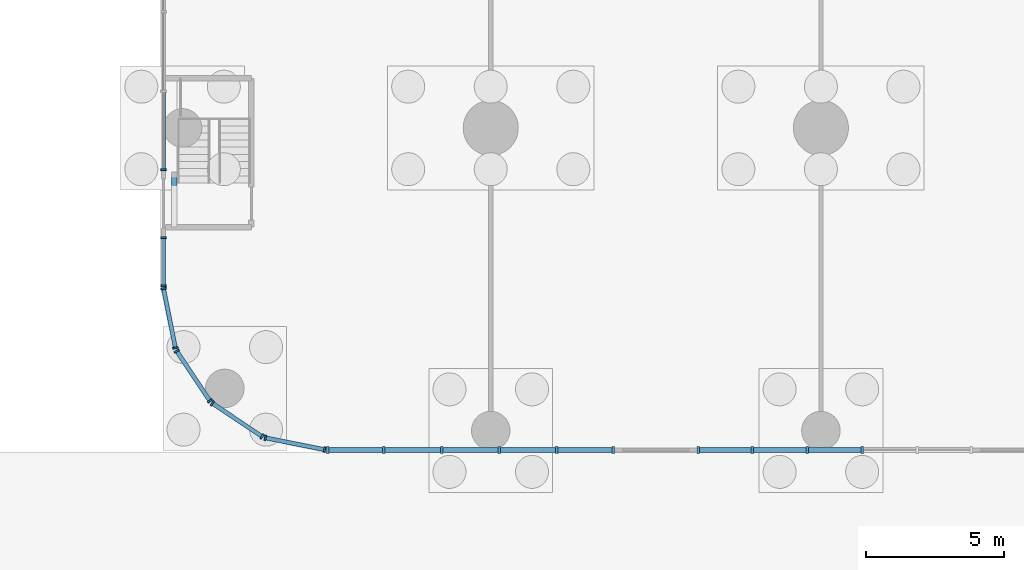
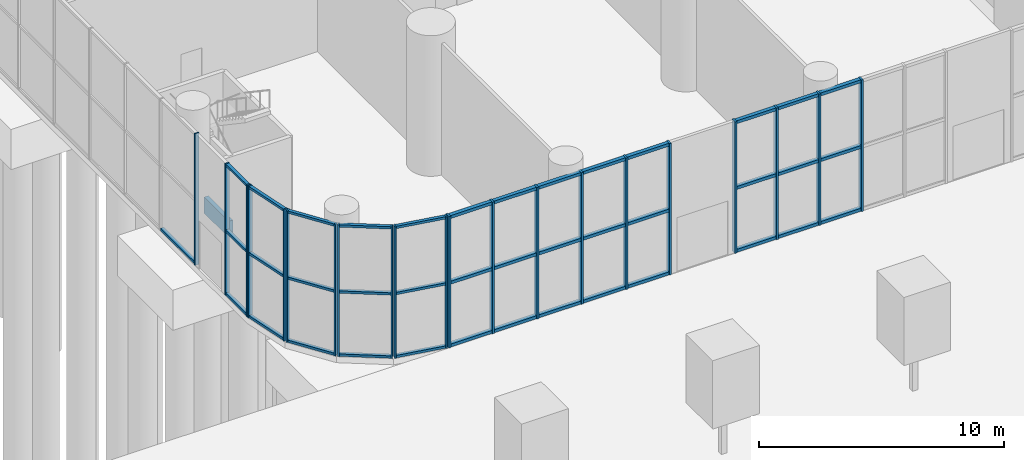
# One storey, part 5 of 26: 61 members, 1 beam, 8 elements without a shape of their own.
"""IFC4 building model written with IfcOpenShell, lengths in metres."""

from ifc_helpers import new_model, si_unit, direction, frame, origin, origin_2d, place, context, subcontext, project, spatial, rectangle, extrude, material, layer, layer_set, material_profile, profile_set, type_object, element, aggregate, save


model = new_model("IFC4")

# Units and contexts
model_context = context("Model", 3, precision=1e-05, world=origin(), true_north=direction((0.0, 1.0)))
body_context = subcontext(model_context, "Body", "Model", "MODEL_VIEW")
ifc_project = project(units=[si_unit("LENGTHUNIT", "METRE"), si_unit("AREAUNIT", "SQUARE_METRE"), si_unit("VOLUMEUNIT", "CUBIC_METRE"), si_unit("PLANEANGLEUNIT", "RADIAN"), si_unit("MASSUNIT", "GRAM", prefix="KILO")], contexts=[model_context])

# Site, building, storey
site_placement = place(None, origin())
site = spatial("IfcSite", under=ifc_project, at=site_placement, CompositionType="ELEMENT")
building_placement = place(site_placement, origin())
building = spatial("IfcBuilding", under=site, at=building_placement, Name="Torana Hotel and Residences", CompositionType="ELEMENT")
storey_placement = place(building_placement, origin())
storey = spatial("IfcBuildingStorey", under=building, at=storey_placement, Name="L00", CompositionType="ELEMENT", Elevation=0.0)

# Curtain wall, member
ifc_material_1 = material(Name="Dark anodised aluminium", Category="aluminium")
ifc_layer_1 = layer(ifc_material_1, 0.199951171875)
ifc_layer_set_1 = layer_set([ifc_layer_1], Name="CW1 PODIUM SHOPFRONT CURTAIN WALL")
curtain_wall_type_1 = type_object("IfcCurtainWallType", Name="CW1 PODIUM SHOPFRONT CURTAIN WALL", PredefinedType="NOTDEFINED", material=ifc_layer_set_1)
curtain_wall_1_placement = place(storey_placement, origin())
curtain_wall_1 = element("IfcCurtainWall", 1, at=curtain_wall_1_placement, inside=storey, type_object=curtain_wall_type_1, Name="Curtain wall CW1 L00 e0.7-1", PredefinedType="NOTDEFINED")
ifc_material_2 = material(Name="Dark anodised aluminium", Category="aluminium")
ifc_material_profile_1 = material_profile(ifc_material_2, rectangle(XDim=0.199951171875, YDim=0.070068359375, at=origin_2d()), Name="CW1 MULLION 70x200")
ifc_profile_set_1 = profile_set([ifc_material_profile_1], Name="Dark anodised aluminium")
member_type_1 = type_object("IfcMemberType", Name="CW1 MULLION 70x200", PredefinedType="MULLION", material=ifc_profile_set_1)
member_1_placement = place(storey_placement, frame((-47.89990234375, -29.715087890625, 0.0), z_axis=(0.0, 0.0, 1.0), x_axis=(1.0, 0.0, 0.0)))
member_1 = element("IfcMember", 2, at=member_1_placement, type_object=member_type_1, Name="CW1 mullion 12", PredefinedType="MULLION", context=body_context, shape_type="SweptSolid", body=[
    extrude(rectangle(XDim=0.199951171875, YDim=0.070068359375, at=origin_2d()), origin(), (0.0, 0.0, 1.0), 6.550048828125),
])

# Curtain wall, members
curtain_wall_2_placement = place(storey_placement, origin())
curtain_wall_2 = element("IfcCurtainWall", 3, at=curtain_wall_2_placement, inside=storey, type_object=curtain_wall_type_1, Name="Curtain wall CW1 L00 e0.7-3", PredefinedType="NOTDEFINED")
member_2_placement = place(storey_placement, frame((-47.89990234375, -32.18505859375, 0.0), z_axis=(0.0, 0.0, 1.0), x_axis=(1.0, 0.0, 0.0)))
member_2 = element("IfcMember", 4, at=member_2_placement, type_object=member_type_1, Name="CW1 mullion 1", PredefinedType="MULLION", context=body_context, shape_type="SweptSolid", body=[
    extrude(rectangle(XDim=0.199951171875, YDim=0.070068359375, at=origin_2d()), origin(), (0.0, 0.0, 1.0), 6.550048828125),
])
member_3_placement = place(storey_placement, frame((-47.89990234375, -33.9404296875, 0.0), z_axis=(0.0, 0.0, 1.0), x_axis=(1.0, 0.0, 0.0)))
member_3 = element("IfcMember", 5, at=member_3_placement, type_object=member_type_1, Name="CW1 mullion 2", PredefinedType="MULLION", context=body_context, shape_type="SweptSolid", body=[
    extrude(rectangle(XDim=0.199951171875, YDim=0.070068359375, at=origin_2d()), origin(), (0.0, 0.0, 1.0), 6.550048828125),
])

curtain_wall_3_placement = place(storey_placement, origin())
curtain_wall_3 = element("IfcCurtainWall", 6, at=curtain_wall_3_placement, inside=storey, type_object=curtain_wall_type_1, Name="Curtain wall CW1 L00 e0.8-1", PredefinedType="NOTDEFINED")
member_4_placement = place(storey_placement, frame((-47.890380859375, -34.038818359375, 0.0), z_axis=(0.0, 0.0, 1.0), x_axis=(0.980787135335, 0.195080996415, 0.0)))
member_4 = element("IfcMember", 7, at=member_4_placement, type_object=member_type_1, Name="CW1 mullion 1", PredefinedType="MULLION", context=body_context, shape_type="SweptSolid", body=[
    extrude(rectangle(XDim=0.199951171875, YDim=0.070068359375, at=origin_2d()), origin(), (0.0, 0.0, 1.0), 6.550048828125),
])
member_5_placement = place(storey_placement, frame((-47.461669921875, -36.193359375, 0.0), z_axis=(0.0, 0.0, 1.0), x_axis=(0.980787135335, 0.195080996415, 0.0)))
member_5 = element("IfcMember", 8, at=member_5_placement, type_object=member_type_1, Name="CW1 mullion 2", PredefinedType="MULLION", context=body_context, shape_type="SweptSolid", body=[
    extrude(rectangle(XDim=0.199951171875, YDim=0.070068359375, at=origin_2d()), origin(), (0.0, 0.0, 1.0), 6.550048828125),
])

curtain_wall_4_placement = place(storey_placement, origin())
curtain_wall_4 = element("IfcCurtainWall", 9, at=curtain_wall_4_placement, inside=storey, type_object=curtain_wall_type_1, Name="Curtain wall CW1 L00 e0.9-1", PredefinedType="NOTDEFINED")
member_6_placement = place(storey_placement, frame((-47.4130859375, -36.31103515625, 0.0), z_axis=(0.0, 0.0, 1.0), x_axis=(0.831459585616, 0.555585238723, 0.0)))
member_6 = element("IfcMember", 10, at=member_6_placement, type_object=member_type_1, Name="CW1 mullion 1", PredefinedType="MULLION", context=body_context, shape_type="SweptSolid", body=[
    extrude(rectangle(XDim=0.199951171875, YDim=0.070068359375, at=origin_2d()), origin(), (0.0, 0.0, 1.0), 6.550048828125),
])
member_7_placement = place(storey_placement, frame((-46.20654296875, -38.11669921875, 0.0), z_axis=(0.0, 0.0, 1.0), x_axis=(0.831459585616, 0.555585238723, 0.0)))
member_7 = element("IfcMember", 11, at=member_7_placement, type_object=member_type_1, Name="CW1 mullion 2", PredefinedType="MULLION", context=body_context, shape_type="SweptSolid", body=[
    extrude(rectangle(XDim=0.199951171875, YDim=0.070068359375, at=origin_2d()), origin(), (0.0, 0.0, 1.0), 6.550048828125),
])

curtain_wall_5_placement = place(storey_placement, origin())
curtain_wall_5 = element("IfcCurtainWall", 12, at=curtain_wall_5_placement, inside=storey, type_object=curtain_wall_type_1, Name="Curtain wall CW1 L00 e0.10-1", PredefinedType="NOTDEFINED")
member_8_placement = place(storey_placement, frame((-46.11669921875, -38.20654296875, 0.0), z_axis=(0.0, 0.0, 1.0), x_axis=(0.555585238723, 0.831459585616, 0.0)))
member_8 = element("IfcMember", 13, at=member_8_placement, type_object=member_type_1, Name="CW1 mullion 1", PredefinedType="MULLION", context=body_context, shape_type="SweptSolid", body=[
    extrude(rectangle(XDim=0.199951171875, YDim=0.070068359375, at=origin_2d()), origin(), (0.0, 0.0, 1.0), 6.550048828125),
])
member_9_placement = place(storey_placement, frame((-44.31103515625, -39.4130859375, 0.0), z_axis=(0.0, 0.0, 1.0), x_axis=(0.555585238723, 0.831459585616, 0.0)))
member_9 = element("IfcMember", 14, at=member_9_placement, type_object=member_type_1, Name="CW1 mullion 2", PredefinedType="MULLION", context=body_context, shape_type="SweptSolid", body=[
    extrude(rectangle(XDim=0.199951171875, YDim=0.070068359375, at=origin_2d()), origin(), (0.0, 0.0, 1.0), 6.550048828125),
])

curtain_wall_6_placement = place(storey_placement, origin())
curtain_wall_6 = element("IfcCurtainWall", 15, at=curtain_wall_6_placement, inside=storey, type_object=curtain_wall_type_1, Name="Curtain wall CW1 L00 e0.11-1", PredefinedType="NOTDEFINED")
member_10_placement = place(storey_placement, frame((-44.193359375, -39.461669921875, 0.0), z_axis=(0.0, 0.0, 1.0), x_axis=(0.195080996415, 0.980787135335, 0.0)))
member_10 = element("IfcMember", 16, at=member_10_placement, type_object=member_type_1, Name="CW1 mullion 1", PredefinedType="MULLION", context=body_context, shape_type="SweptSolid", body=[
    extrude(rectangle(XDim=0.199951171875, YDim=0.070068359375, at=origin_2d()), origin(), (0.0, 0.0, 1.0), 6.550048828125),
])
member_11_placement = place(storey_placement, frame((-42.038818359375, -39.890380859375, 0.0), z_axis=(0.0, 0.0, 1.0), x_axis=(0.195080996415, 0.980787135335, 0.0)))
member_11 = element("IfcMember", 17, at=member_11_placement, type_object=member_type_1, Name="CW1 mullion 2", PredefinedType="MULLION", context=body_context, shape_type="SweptSolid", body=[
    extrude(rectangle(XDim=0.199951171875, YDim=0.070068359375, at=origin_2d()), origin(), (0.0, 0.0, 1.0), 6.550048828125),
])

# Member
ifc_material_3 = material(Name="Dark anodised aluminium", Category="aluminium")
ifc_material_profile_2 = material_profile(ifc_material_3, rectangle(XDim=0.14990234375, YDim=0.1201171875, at=origin_2d()), Name="CW1 TRANSOM 150x120")
ifc_profile_set_2 = profile_set([ifc_material_profile_2], Name="Dark anodised aluminium")
member_type_2 = type_object("IfcMemberType", Name="CW1 TRANSOM 150x120", PredefinedType="USERDEFINED", material=ifc_profile_set_2)
member_12_placement = place(storey_placement, frame((-47.89990234375, -26.90087890625, 0.06005859375), z_axis=(0.0, -1.0, 0.0), x_axis=(1.0, 0.0, 0.0)))
member_12 = element("IfcMember", 18, at=member_12_placement, type_object=member_type_2, Name="CW1 transom 11.1", ObjectType="TRANSOM", PredefinedType="USERDEFINED", context=body_context, shape_type="SweptSolid", body=[
    extrude(rectangle(XDim=0.14990234375, YDim=0.1201171875, at=origin_2d()), origin(), (0.0, 0.0, 1.0), 2.779052734375),
])

aggregate(curtain_wall_1, [member_1, member_12])

member_13_placement = place(storey_placement, frame((-47.89990234375, -32.219970703125, 0.06005859375), z_axis=(0.0, -1.0, 0.0), x_axis=(1.0, 0.0, 0.0)))
member_13 = element("IfcMember", 19, at=member_13_placement, type_object=member_type_2, Name="CW1 transom 1.1", ObjectType="TRANSOM", PredefinedType="USERDEFINED", context=body_context, shape_type="SweptSolid", body=[
    extrude(rectangle(XDim=0.14990234375, YDim=0.1201171875, at=origin_2d()), origin(), (0.0, 0.0, 1.0), 1.685546875),
])

member_14_placement = place(storey_placement, frame((-47.89990234375, -32.219970703125, 3.199951171875), z_axis=(0.0, -1.0, 0.0), x_axis=(1.0, 0.0, 0.0)))
member_14 = element("IfcMember", 20, at=member_14_placement, type_object=member_type_2, Name="CW1 transom 1.2", ObjectType="TRANSOM", PredefinedType="USERDEFINED", context=body_context, shape_type="SweptSolid", body=[
    extrude(rectangle(XDim=0.14990234375, YDim=0.1201171875, at=origin_2d()), origin(), (0.0, 0.0, 1.0), 1.685546875),
])

member_15_placement = place(storey_placement, frame((-47.89990234375, -32.219970703125, 6.489990234375), z_axis=(0.0, -1.0, 0.0), x_axis=(1.0, 0.0, 0.0)))
member_15 = element("IfcMember", 21, at=member_15_placement, type_object=member_type_2, Name="CW1 transom 1.3", ObjectType="TRANSOM", PredefinedType="USERDEFINED", context=body_context, shape_type="SweptSolid", body=[
    extrude(rectangle(XDim=0.14990234375, YDim=0.1201171875, at=origin_2d()), origin(), (0.0, 0.0, 1.0), 1.685546875),
])

aggregate(curtain_wall_2, [member_2, member_3, member_13, member_14, member_15])

member_16_placement = place(storey_placement, frame((-47.883544921875, -34.0732421875, 0.06005859375), z_axis=(0.195144730313, -0.980774456351, 0.0), x_axis=(0.980774456351, 0.195144730313, 0.0)))
member_16 = element("IfcMember", 22, at=member_16_placement, type_object=member_type_2, Name="CW1 transom 1.1", ObjectType="TRANSOM", PredefinedType="USERDEFINED", context=body_context, shape_type="SweptSolid", body=[
    extrude(rectangle(XDim=0.14990234375, YDim=0.1201171875, at=origin_2d()), origin(), (0.0, 0.0, 1.0), 2.126708984375),
])

member_17_placement = place(storey_placement, frame((-47.883544921875, -34.0732421875, 3.199951171875), z_axis=(0.195144730313, -0.980774456351, 0.0), x_axis=(0.980774456351, 0.195144730313, 0.0)))
member_17 = element("IfcMember", 23, at=member_17_placement, type_object=member_type_2, Name="CW1 transom 1.2", ObjectType="TRANSOM", PredefinedType="USERDEFINED", context=body_context, shape_type="SweptSolid", body=[
    extrude(rectangle(XDim=0.14990234375, YDim=0.1201171875, at=origin_2d()), origin(), (0.0, 0.0, 1.0), 2.126708984375),
])

member_18_placement = place(storey_placement, frame((-47.883544921875, -34.0732421875, 6.489990234375), z_axis=(0.195144730313, -0.980774456351, 0.0), x_axis=(0.980774456351, 0.195144730313, 0.0)))
member_18 = element("IfcMember", 24, at=member_18_placement, type_object=member_type_2, Name="CW1 transom 1.3", ObjectType="TRANSOM", PredefinedType="USERDEFINED", context=body_context, shape_type="SweptSolid", body=[
    extrude(rectangle(XDim=0.14990234375, YDim=0.1201171875, at=origin_2d()), origin(), (0.0, 0.0, 1.0), 2.126708984375),
])

aggregate(curtain_wall_3, [member_4, member_5, member_16, member_17, member_18])

member_19_placement = place(storey_placement, frame((-47.3935546875, -36.340087890625, 0.06005859375), z_axis=(0.555557822908, -0.83147790434, 0.0), x_axis=(0.83147790434, 0.555557822908, 0.0)))
member_19 = element("IfcMember", 25, at=member_19_placement, type_object=member_type_2, Name="CW1 transom 1.1", ObjectType="TRANSOM", PredefinedType="USERDEFINED", context=body_context, shape_type="SweptSolid", body=[
    extrude(rectangle(XDim=0.14990234375, YDim=0.1201171875, at=origin_2d()), origin(), (0.0, 0.0, 1.0), 2.1015625),
])

member_20_placement = place(storey_placement, frame((-47.3935546875, -36.340087890625, 3.199951171875), z_axis=(0.555557822908, -0.83147790434, 0.0), x_axis=(0.83147790434, 0.555557822908, 0.0)))
member_20 = element("IfcMember", 26, at=member_20_placement, type_object=member_type_2, Name="CW1 transom 1.2", ObjectType="TRANSOM", PredefinedType="USERDEFINED", context=body_context, shape_type="SweptSolid", body=[
    extrude(rectangle(XDim=0.14990234375, YDim=0.1201171875, at=origin_2d()), origin(), (0.0, 0.0, 1.0), 2.1015625),
])

member_21_placement = place(storey_placement, frame((-47.3935546875, -36.340087890625, 6.489990234375), z_axis=(0.555557822908, -0.83147790434, 0.0), x_axis=(0.83147790434, 0.555557822908, 0.0)))
member_21 = element("IfcMember", 27, at=member_21_placement, type_object=member_type_2, Name="CW1 transom 1.3", ObjectType="TRANSOM", PredefinedType="USERDEFINED", context=body_context, shape_type="SweptSolid", body=[
    extrude(rectangle(XDim=0.14990234375, YDim=0.1201171875, at=origin_2d()), origin(), (0.0, 0.0, 1.0), 2.1015625),
])

aggregate(curtain_wall_4, [member_6, member_7, member_19, member_20, member_21])

member_22_placement = place(storey_placement, frame((-46.08740234375, -38.22607421875, 0.06005859375), z_axis=(0.83147790434, -0.555557822908, 0.0), x_axis=(0.555557822908, 0.83147790434, 0.0)))
member_22 = element("IfcMember", 28, at=member_22_placement, type_object=member_type_2, Name="CW1 transom 1.1", ObjectType="TRANSOM", PredefinedType="USERDEFINED", context=body_context, shape_type="SweptSolid", body=[
    extrude(rectangle(XDim=0.14990234375, YDim=0.1201171875, at=origin_2d()), origin(), (0.0, 0.0, 1.0), 2.1015625),
])

member_23_placement = place(storey_placement, frame((-46.08740234375, -38.22607421875, 3.199951171875), z_axis=(0.83147790434, -0.555557822908, 0.0), x_axis=(0.555557822908, 0.83147790434, 0.0)))
member_23 = element("IfcMember", 29, at=member_23_placement, type_object=member_type_2, Name="CW1 transom 1.2", ObjectType="TRANSOM", PredefinedType="USERDEFINED", context=body_context, shape_type="SweptSolid", body=[
    extrude(rectangle(XDim=0.14990234375, YDim=0.1201171875, at=origin_2d()), origin(), (0.0, 0.0, 1.0), 2.1015625),
])

member_24_placement = place(storey_placement, frame((-46.08740234375, -38.22607421875, 6.489990234375), z_axis=(0.83147790434, -0.555557822908, 0.0), x_axis=(0.555557822908, 0.83147790434, 0.0)))
member_24 = element("IfcMember", 30, at=member_24_placement, type_object=member_type_2, Name="CW1 transom 1.3", ObjectType="TRANSOM", PredefinedType="USERDEFINED", context=body_context, shape_type="SweptSolid", body=[
    extrude(rectangle(XDim=0.14990234375, YDim=0.1201171875, at=origin_2d()), origin(), (0.0, 0.0, 1.0), 2.1015625),
])

aggregate(curtain_wall_5, [member_8, member_9, member_22, member_23, member_24])

member_25_placement = place(storey_placement, frame((-44.1591796875, -39.468505859375, 0.06005859375), z_axis=(0.980774456351, -0.195144730313, 0.0), x_axis=(0.195144730313, 0.980774456351, 0.0)))
member_25 = element("IfcMember", 31, at=member_25_placement, type_object=member_type_2, Name="CW1 transom 1.1", ObjectType="TRANSOM", PredefinedType="USERDEFINED", context=body_context, shape_type="SweptSolid", body=[
    extrude(rectangle(XDim=0.14990234375, YDim=0.1201171875, at=origin_2d()), origin(), (0.0, 0.0, 1.0), 2.126708984375),
])

member_26_placement = place(storey_placement, frame((-44.1591796875, -39.468505859375, 3.199951171875), z_axis=(0.980774456351, -0.195144730313, 0.0), x_axis=(0.195144730313, 0.980774456351, 0.0)))
member_26 = element("IfcMember", 32, at=member_26_placement, type_object=member_type_2, Name="CW1 transom 1.2", ObjectType="TRANSOM", PredefinedType="USERDEFINED", context=body_context, shape_type="SweptSolid", body=[
    extrude(rectangle(XDim=0.14990234375, YDim=0.1201171875, at=origin_2d()), origin(), (0.0, 0.0, 1.0), 2.126708984375),
])

member_27_placement = place(storey_placement, frame((-44.1591796875, -39.468505859375, 6.489990234375), z_axis=(0.980774456351, -0.195144730313, 0.0), x_axis=(0.195144730313, 0.980774456351, 0.0)))
member_27 = element("IfcMember", 33, at=member_27_placement, type_object=member_type_2, Name="CW1 transom 1.3", ObjectType="TRANSOM", PredefinedType="USERDEFINED", context=body_context, shape_type="SweptSolid", body=[
    extrude(rectangle(XDim=0.14990234375, YDim=0.1201171875, at=origin_2d()), origin(), (0.0, 0.0, 1.0), 2.126708984375),
])

aggregate(curtain_wall_6, [member_10, member_11, member_25, member_26, member_27])

# Curtain wall, members
ifc_material_4 = material(Name="Dark anodised aluminium", Category="aluminium")
ifc_layer_2 = layer(ifc_material_4, 0.25)
ifc_layer_set_2 = layer_set([ifc_layer_2], Name="CW6 LOBBY ENTRANCE FRONT CURTAIN WALL")
curtain_wall_type_2 = type_object("IfcCurtainWallType", Name="CW6 LOBBY ENTRANCE FRONT CURTAIN WALL", PredefinedType="NOTDEFINED", material=ifc_layer_set_2)
curtain_wall_7_placement = place(storey_placement, origin())
curtain_wall_7 = element("IfcCurtainWall", 34, at=curtain_wall_7_placement, inside=storey, type_object=curtain_wall_type_2, Name="Curtain wall CW6 L00 e0.0-1", PredefinedType="NOTDEFINED")
ifc_material_5 = material(Name="Dark anodised aluminium", Category="aluminium")
ifc_material_profile_3 = material_profile(ifc_material_5, rectangle(XDim=0.25, YDim=0.090087890625, at=origin_2d()), Name="CW6 MULLION 90x250")
ifc_profile_set_3 = profile_set([ifc_material_profile_3], Name="Dark anodised aluminium")
member_type_3 = type_object("IfcMemberType", Name="CW6 MULLION 90x250", PredefinedType="MULLION", material=ifc_profile_set_3)
member_28_placement = place(storey_placement, frame((-41.930419921875, -39.89990234375, 0.0), z_axis=(0.0, 0.0, 1.0), x_axis=(0.0, 1.0, 0.0)))
member_28 = element("IfcMember", 35, at=member_28_placement, type_object=member_type_3, Name="CW6 mullion 1", PredefinedType="MULLION", context=body_context, shape_type="SweptSolid", body=[
    extrude(rectangle(XDim=0.25, YDim=0.090087890625, at=origin_2d()), origin(), (0.0, 0.0, 1.0), 6.550048828125),
])
member_29_placement = place(storey_placement, frame((-39.88037109375, -39.89990234375, 0.0), z_axis=(0.0, 0.0, 1.0), x_axis=(0.0, 1.0, 0.0)))
member_29 = element("IfcMember", 36, at=member_29_placement, type_object=member_type_3, Name="CW6 mullion 2", PredefinedType="MULLION", context=body_context, shape_type="SweptSolid", body=[
    extrude(rectangle(XDim=0.25, YDim=0.090087890625, at=origin_2d()), origin(), (0.0, 0.0, 1.0), 6.550048828125),
])
member_30_placement = place(storey_placement, frame((-37.78515625, -39.89990234375, 0.0), z_axis=(0.0, 0.0, 1.0), x_axis=(0.0, 1.0, 0.0)))
member_30 = element("IfcMember", 37, at=member_30_placement, type_object=member_type_3, Name="CW6 mullion 3", PredefinedType="MULLION", context=body_context, shape_type="SweptSolid", body=[
    extrude(rectangle(XDim=0.25, YDim=0.090087890625, at=origin_2d()), origin(), (0.0, 0.0, 1.0), 6.550048828125),
])
member_31_placement = place(storey_placement, frame((-35.690185546875, -39.89990234375, 0.0), z_axis=(0.0, 0.0, 1.0), x_axis=(0.0, 1.0, 0.0)))
member_31 = element("IfcMember", 38, at=member_31_placement, type_object=member_type_3, Name="CW6 mullion 4", PredefinedType="MULLION", context=body_context, shape_type="SweptSolid", body=[
    extrude(rectangle(XDim=0.25, YDim=0.090087890625, at=origin_2d()), origin(), (0.0, 0.0, 1.0), 6.550048828125),
])
member_32_placement = place(storey_placement, frame((-33.594970703125, -39.89990234375, 0.0), z_axis=(0.0, 0.0, 1.0), x_axis=(0.0, 1.0, 0.0)))
member_32 = element("IfcMember", 39, at=member_32_placement, type_object=member_type_3, Name="CW6 mullion 5", PredefinedType="MULLION", context=body_context, shape_type="SweptSolid", body=[
    extrude(rectangle(XDim=0.25, YDim=0.090087890625, at=origin_2d()), origin(), (0.0, 0.0, 1.0), 6.550048828125),
])
member_33_placement = place(storey_placement, frame((-31.544921875, -39.89990234375, 0.0), z_axis=(0.0, 0.0, 1.0), x_axis=(0.0, 1.0, 0.0)))
member_33 = element("IfcMember", 40, at=member_33_placement, type_object=member_type_3, Name="CW6 mullion 6", PredefinedType="MULLION", context=body_context, shape_type="SweptSolid", body=[
    extrude(rectangle(XDim=0.25, YDim=0.090087890625, at=origin_2d()), origin(), (0.0, 0.0, 1.0), 6.550048828125),
])

curtain_wall_8_placement = place(storey_placement, origin())
curtain_wall_8 = element("IfcCurtainWall", 41, at=curtain_wall_8_placement, inside=storey, type_object=curtain_wall_type_2, Name="Curtain wall CW6 L00 e0.0-3", PredefinedType="NOTDEFINED")
member_34_placement = place(storey_placement, frame((-28.455078125, -39.89990234375, 0.0), z_axis=(0.0, 0.0, 1.0), x_axis=(0.0, 1.0, 0.0)))
member_34 = element("IfcMember", 42, at=member_34_placement, type_object=member_type_3, Name="CW6 mullion 1", PredefinedType="MULLION", context=body_context, shape_type="SweptSolid", body=[
    extrude(rectangle(XDim=0.25, YDim=0.090087890625, at=origin_2d()), origin(), (0.0, 0.0, 1.0), 6.550048828125),
])
member_35_placement = place(storey_placement, frame((-26.5, -39.89990234375, 0.0), z_axis=(0.0, 0.0, 1.0), x_axis=(0.0, 1.0, 0.0)))
member_35 = element("IfcMember", 43, at=member_35_placement, type_object=member_type_3, Name="CW6 mullion 2", PredefinedType="MULLION", context=body_context, shape_type="SweptSolid", body=[
    extrude(rectangle(XDim=0.25, YDim=0.090087890625, at=origin_2d()), origin(), (0.0, 0.0, 1.0), 6.550048828125),
])
member_36_placement = place(storey_placement, frame((-24.5, -39.89990234375, 0.0), z_axis=(0.0, 0.0, 1.0), x_axis=(0.0, 1.0, 0.0)))
member_36 = element("IfcMember", 44, at=member_36_placement, type_object=member_type_3, Name="CW6 mullion 3", PredefinedType="MULLION", context=body_context, shape_type="SweptSolid", body=[
    extrude(rectangle(XDim=0.25, YDim=0.090087890625, at=origin_2d()), origin(), (0.0, 0.0, 1.0), 6.550048828125),
])
member_37_placement = place(storey_placement, frame((-22.5, -39.89990234375, 0.0), z_axis=(0.0, 0.0, 1.0), x_axis=(0.0, 1.0, 0.0)))
member_37 = element("IfcMember", 45, at=member_37_placement, type_object=member_type_3, Name="CW6 mullion 4", PredefinedType="MULLION", context=body_context, shape_type="SweptSolid", body=[
    extrude(rectangle(XDim=0.25, YDim=0.090087890625, at=origin_2d()), origin(), (0.0, 0.0, 1.0), 6.550048828125),
])

# Member
ifc_material_6 = material(Name="Dark anodised aluminium", Category="aluminium")
ifc_material_profile_4 = material_profile(ifc_material_6, rectangle(XDim=0.179931640625, YDim=0.14990234375, at=origin_2d()), Name="CW6 TRANSOM 180x150")
ifc_profile_set_4 = profile_set([ifc_material_profile_4], Name="Dark anodised aluminium")
member_type_4 = type_object("IfcMemberType", Name="CW6 TRANSOM 180x150", PredefinedType="USERDEFINED", material=ifc_profile_set_4)
member_38_placement = place(storey_placement, frame((-41.885498046875, -39.89990234375, 0.074951171875), z_axis=(1.0, 0.0, 0.0), x_axis=(0.0, 1.0, 0.0)))
member_38 = element("IfcMember", 46, at=member_38_placement, type_object=member_type_4, Name="CW6 transom 1.1", ObjectType="TRANSOM", PredefinedType="USERDEFINED", context=body_context, shape_type="SweptSolid", body=[
    extrude(rectangle(XDim=0.179931640625, YDim=0.14990234375, at=origin_2d()), origin(), (0.0, 0.0, 1.0), 1.960205078125),
])

member_39_placement = place(storey_placement, frame((-41.885498046875, -39.89990234375, 3.199951171875), z_axis=(1.0, 0.0, 0.0), x_axis=(0.0, 1.0, 0.0)))
member_39 = element("IfcMember", 47, at=member_39_placement, type_object=member_type_4, Name="CW6 transom 1.2", ObjectType="TRANSOM", PredefinedType="USERDEFINED", context=body_context, shape_type="SweptSolid", body=[
    extrude(rectangle(XDim=0.179931640625, YDim=0.14990234375, at=origin_2d()), origin(), (0.0, 0.0, 1.0), 1.960205078125),
])

member_40_placement = place(storey_placement, frame((-41.885498046875, -39.89990234375, 6.47509765625), z_axis=(1.0, 0.0, 0.0), x_axis=(0.0, 1.0, 0.0)))
member_40 = element("IfcMember", 48, at=member_40_placement, type_object=member_type_4, Name="CW6 transom 1.3", ObjectType="TRANSOM", PredefinedType="USERDEFINED", context=body_context, shape_type="SweptSolid", body=[
    extrude(rectangle(XDim=0.179931640625, YDim=0.14990234375, at=origin_2d()), origin(), (0.0, 0.0, 1.0), 1.960205078125),
])

member_41_placement = place(storey_placement, frame((-39.835205078125, -39.89990234375, 0.074951171875), z_axis=(1.0, 0.0, 0.0), x_axis=(0.0, 1.0, 0.0)))
member_41 = element("IfcMember", 49, at=member_41_placement, type_object=member_type_4, Name="CW6 transom 2.1", ObjectType="TRANSOM", PredefinedType="USERDEFINED", context=body_context, shape_type="SweptSolid", body=[
    extrude(rectangle(XDim=0.179931640625, YDim=0.14990234375, at=origin_2d()), origin(), (0.0, 0.0, 1.0), 2.0048828125),
])

member_42_placement = place(storey_placement, frame((-39.835205078125, -39.89990234375, 3.199951171875), z_axis=(1.0, 0.0, 0.0), x_axis=(0.0, 1.0, 0.0)))
member_42 = element("IfcMember", 50, at=member_42_placement, type_object=member_type_4, Name="CW6 transom 2.2", ObjectType="TRANSOM", PredefinedType="USERDEFINED", context=body_context, shape_type="SweptSolid", body=[
    extrude(rectangle(XDim=0.179931640625, YDim=0.14990234375, at=origin_2d()), origin(), (0.0, 0.0, 1.0), 2.0048828125),
])

member_43_placement = place(storey_placement, frame((-39.835205078125, -39.89990234375, 6.47509765625), z_axis=(1.0, 0.0, 0.0), x_axis=(0.0, 1.0, 0.0)))
member_43 = element("IfcMember", 51, at=member_43_placement, type_object=member_type_4, Name="CW6 transom 2.3", ObjectType="TRANSOM", PredefinedType="USERDEFINED", context=body_context, shape_type="SweptSolid", body=[
    extrude(rectangle(XDim=0.179931640625, YDim=0.14990234375, at=origin_2d()), origin(), (0.0, 0.0, 1.0), 2.0048828125),
])

member_44_placement = place(storey_placement, frame((-37.740234375, -39.89990234375, 0.074951171875), z_axis=(1.0, 0.0, 0.0), x_axis=(0.0, 1.0, 0.0)))
member_44 = element("IfcMember", 52, at=member_44_placement, type_object=member_type_4, Name="CW6 transom 3.1", ObjectType="TRANSOM", PredefinedType="USERDEFINED", context=body_context, shape_type="SweptSolid", body=[
    extrude(rectangle(XDim=0.179931640625, YDim=0.14990234375, at=origin_2d()), origin(), (0.0, 0.0, 1.0), 2.005126953125),
])

member_45_placement = place(storey_placement, frame((-37.740234375, -39.89990234375, 3.199951171875), z_axis=(1.0, 0.0, 0.0), x_axis=(0.0, 1.0, 0.0)))
member_45 = element("IfcMember", 53, at=member_45_placement, type_object=member_type_4, Name="CW6 transom 3.2", ObjectType="TRANSOM", PredefinedType="USERDEFINED", context=body_context, shape_type="SweptSolid", body=[
    extrude(rectangle(XDim=0.179931640625, YDim=0.14990234375, at=origin_2d()), origin(), (0.0, 0.0, 1.0), 2.005126953125),
])

member_46_placement = place(storey_placement, frame((-37.740234375, -39.89990234375, 6.47509765625), z_axis=(1.0, 0.0, 0.0), x_axis=(0.0, 1.0, 0.0)))
member_46 = element("IfcMember", 54, at=member_46_placement, type_object=member_type_4, Name="CW6 transom 3.3", ObjectType="TRANSOM", PredefinedType="USERDEFINED", context=body_context, shape_type="SweptSolid", body=[
    extrude(rectangle(XDim=0.179931640625, YDim=0.14990234375, at=origin_2d()), origin(), (0.0, 0.0, 1.0), 2.005126953125),
])

member_47_placement = place(storey_placement, frame((-35.645263671875, -39.89990234375, 0.074951171875), z_axis=(1.0, 0.0, 0.0), x_axis=(0.0, 1.0, 0.0)))
member_47 = element("IfcMember", 55, at=member_47_placement, type_object=member_type_4, Name="CW6 transom 4.1", ObjectType="TRANSOM", PredefinedType="USERDEFINED", context=body_context, shape_type="SweptSolid", body=[
    extrude(rectangle(XDim=0.179931640625, YDim=0.14990234375, at=origin_2d()), origin(), (0.0, 0.0, 1.0), 2.005126953125),
])

member_48_placement = place(storey_placement, frame((-35.645263671875, -39.89990234375, 3.199951171875), z_axis=(1.0, 0.0, 0.0), x_axis=(0.0, 1.0, 0.0)))
member_48 = element("IfcMember", 56, at=member_48_placement, type_object=member_type_4, Name="CW6 transom 4.2", ObjectType="TRANSOM", PredefinedType="USERDEFINED", context=body_context, shape_type="SweptSolid", body=[
    extrude(rectangle(XDim=0.179931640625, YDim=0.14990234375, at=origin_2d()), origin(), (0.0, 0.0, 1.0), 2.005126953125),
])

member_49_placement = place(storey_placement, frame((-35.645263671875, -39.89990234375, 6.47509765625), z_axis=(1.0, 0.0, 0.0), x_axis=(0.0, 1.0, 0.0)))
member_49 = element("IfcMember", 57, at=member_49_placement, type_object=member_type_4, Name="CW6 transom 4.3", ObjectType="TRANSOM", PredefinedType="USERDEFINED", context=body_context, shape_type="SweptSolid", body=[
    extrude(rectangle(XDim=0.179931640625, YDim=0.14990234375, at=origin_2d()), origin(), (0.0, 0.0, 1.0), 2.005126953125),
])

member_50_placement = place(storey_placement, frame((-33.550048828125, -39.89990234375, 0.074951171875), z_axis=(1.0, 0.0, 0.0), x_axis=(0.0, 1.0, 0.0)))
member_50 = element("IfcMember", 58, at=member_50_placement, type_object=member_type_4, Name="CW6 transom 5.1", ObjectType="TRANSOM", PredefinedType="USERDEFINED", context=body_context, shape_type="SweptSolid", body=[
    extrude(rectangle(XDim=0.179931640625, YDim=0.14990234375, at=origin_2d()), origin(), (0.0, 0.0, 1.0), 1.9599609375),
])

member_51_placement = place(storey_placement, frame((-33.550048828125, -39.89990234375, 3.199951171875), z_axis=(1.0, 0.0, 0.0), x_axis=(0.0, 1.0, 0.0)))
member_51 = element("IfcMember", 59, at=member_51_placement, type_object=member_type_4, Name="CW6 transom 5.2", ObjectType="TRANSOM", PredefinedType="USERDEFINED", context=body_context, shape_type="SweptSolid", body=[
    extrude(rectangle(XDim=0.179931640625, YDim=0.14990234375, at=origin_2d()), origin(), (0.0, 0.0, 1.0), 1.9599609375),
])

member_52_placement = place(storey_placement, frame((-33.550048828125, -39.89990234375, 6.47509765625), z_axis=(1.0, 0.0, 0.0), x_axis=(0.0, 1.0, 0.0)))
member_52 = element("IfcMember", 60, at=member_52_placement, type_object=member_type_4, Name="CW6 transom 5.3", ObjectType="TRANSOM", PredefinedType="USERDEFINED", context=body_context, shape_type="SweptSolid", body=[
    extrude(rectangle(XDim=0.179931640625, YDim=0.14990234375, at=origin_2d()), origin(), (0.0, 0.0, 1.0), 1.9599609375),
])

aggregate(curtain_wall_7, [member_28, member_29, member_30, member_31, member_32, member_33, member_38, member_39, member_40, member_41, member_42, member_43, member_44, member_45, member_46, member_47, member_48, member_49, member_50, member_51, member_52])

member_53_placement = place(storey_placement, frame((-28.409912109375, -39.89990234375, 0.074951171875), z_axis=(1.0, 0.0, 0.0), x_axis=(0.0, 1.0, 0.0)))
member_53 = element("IfcMember", 61, at=member_53_placement, type_object=member_type_4, Name="CW6 transom 1.1", ObjectType="TRANSOM", PredefinedType="USERDEFINED", context=body_context, shape_type="SweptSolid", body=[
    extrude(rectangle(XDim=0.179931640625, YDim=0.14990234375, at=origin_2d()), origin(), (0.0, 0.0, 1.0), 1.864990234375),
])

member_54_placement = place(storey_placement, frame((-28.409912109375, -39.89990234375, 3.199951171875), z_axis=(1.0, 0.0, 0.0), x_axis=(0.0, 1.0, 0.0)))
member_54 = element("IfcMember", 62, at=member_54_placement, type_object=member_type_4, Name="CW6 transom 1.2", ObjectType="TRANSOM", PredefinedType="USERDEFINED", context=body_context, shape_type="SweptSolid", body=[
    extrude(rectangle(XDim=0.179931640625, YDim=0.14990234375, at=origin_2d()), origin(), (0.0, 0.0, 1.0), 1.864990234375),
])

member_55_placement = place(storey_placement, frame((-28.409912109375, -39.89990234375, 6.47509765625), z_axis=(1.0, 0.0, 0.0), x_axis=(0.0, 1.0, 0.0)))
member_55 = element("IfcMember", 63, at=member_55_placement, type_object=member_type_4, Name="CW6 transom 1.3", ObjectType="TRANSOM", PredefinedType="USERDEFINED", context=body_context, shape_type="SweptSolid", body=[
    extrude(rectangle(XDim=0.179931640625, YDim=0.14990234375, at=origin_2d()), origin(), (0.0, 0.0, 1.0), 1.864990234375),
])

member_56_placement = place(storey_placement, frame((-26.455078125, -39.89990234375, 0.074951171875), z_axis=(1.0, 0.0, 0.0), x_axis=(0.0, 1.0, 0.0)))
member_56 = element("IfcMember", 64, at=member_56_placement, type_object=member_type_4, Name="CW6 transom 2.1", ObjectType="TRANSOM", PredefinedType="USERDEFINED", context=body_context, shape_type="SweptSolid", body=[
    extrude(rectangle(XDim=0.179931640625, YDim=0.14990234375, at=origin_2d()), origin(), (0.0, 0.0, 1.0), 1.91015625),
])

member_57_placement = place(storey_placement, frame((-26.455078125, -39.89990234375, 3.199951171875), z_axis=(1.0, 0.0, 0.0), x_axis=(0.0, 1.0, 0.0)))
member_57 = element("IfcMember", 65, at=member_57_placement, type_object=member_type_4, Name="CW6 transom 2.2", ObjectType="TRANSOM", PredefinedType="USERDEFINED", context=body_context, shape_type="SweptSolid", body=[
    extrude(rectangle(XDim=0.179931640625, YDim=0.14990234375, at=origin_2d()), origin(), (0.0, 0.0, 1.0), 1.91015625),
])

member_58_placement = place(storey_placement, frame((-26.455078125, -39.89990234375, 6.47509765625), z_axis=(1.0, 0.0, 0.0), x_axis=(0.0, 1.0, 0.0)))
member_58 = element("IfcMember", 66, at=member_58_placement, type_object=member_type_4, Name="CW6 transom 2.3", ObjectType="TRANSOM", PredefinedType="USERDEFINED", context=body_context, shape_type="SweptSolid", body=[
    extrude(rectangle(XDim=0.179931640625, YDim=0.14990234375, at=origin_2d()), origin(), (0.0, 0.0, 1.0), 1.91015625),
])

member_59_placement = place(storey_placement, frame((-24.455078125, -39.89990234375, 0.074951171875), z_axis=(1.0, 0.0, 0.0), x_axis=(0.0, 1.0, 0.0)))
member_59 = element("IfcMember", 67, at=member_59_placement, type_object=member_type_4, Name="CW6 transom 3.1", ObjectType="TRANSOM", PredefinedType="USERDEFINED", context=body_context, shape_type="SweptSolid", body=[
    extrude(rectangle(XDim=0.179931640625, YDim=0.14990234375, at=origin_2d()), origin(), (0.0, 0.0, 1.0), 1.91015625),
])

member_60_placement = place(storey_placement, frame((-24.455078125, -39.89990234375, 3.199951171875), z_axis=(1.0, 0.0, 0.0), x_axis=(0.0, 1.0, 0.0)))
member_60 = element("IfcMember", 68, at=member_60_placement, type_object=member_type_4, Name="CW6 transom 3.2", ObjectType="TRANSOM", PredefinedType="USERDEFINED", context=body_context, shape_type="SweptSolid", body=[
    extrude(rectangle(XDim=0.179931640625, YDim=0.14990234375, at=origin_2d()), origin(), (0.0, 0.0, 1.0), 1.91015625),
])

member_61_placement = place(storey_placement, frame((-24.455078125, -39.89990234375, 6.47509765625), z_axis=(1.0, 0.0, 0.0), x_axis=(0.0, 1.0, 0.0)))
member_61 = element("IfcMember", 69, at=member_61_placement, type_object=member_type_4, Name="CW6 transom 3.3", ObjectType="TRANSOM", PredefinedType="USERDEFINED", context=body_context, shape_type="SweptSolid", body=[
    extrude(rectangle(XDim=0.179931640625, YDim=0.14990234375, at=origin_2d()), origin(), (0.0, 0.0, 1.0), 1.91015625),
])

aggregate(curtain_wall_8, [member_34, member_35, member_36, member_37, member_53, member_54, member_55, member_56, member_57, member_58, member_59, member_60, member_61])

# Beam
ifc_material_7 = material(Name="Concrete C40/50", Category="concrete")
ifc_material_profile_5 = material_profile(ifc_material_7, rectangle(XDim=0.199951171875, YDim=0.800048828125, at=origin_2d()), Name="RC 200x800")
ifc_profile_set_5 = profile_set([ifc_material_profile_5], Name="Concrete C40/50")
beam_type = type_object("IfcBeamType", Name="STAIR HEADER BEAM RC 200x800 C40/50", PredefinedType="BEAM", material=ifc_profile_set_5)
beam_placement = place(storey_placement, frame((-47.5, -31.800048828125, 2.89990234375), z_axis=(0.0, 1.0, 0.0), x_axis=(-1.0, 0.0, 0.0)))
element("IfcBeam", 70, at=beam_placement, inside=storey, type_object=beam_type, Name="Stair header beam ST5", PredefinedType="BEAM", context=body_context, shape_type="SweptSolid", body=[
    extrude(rectangle(XDim=0.199951171875, YDim=0.800048828125, at=origin_2d()), origin(), (0.0, 0.0, 1.0), 2.0),
])

save(model, "model.ifc")
